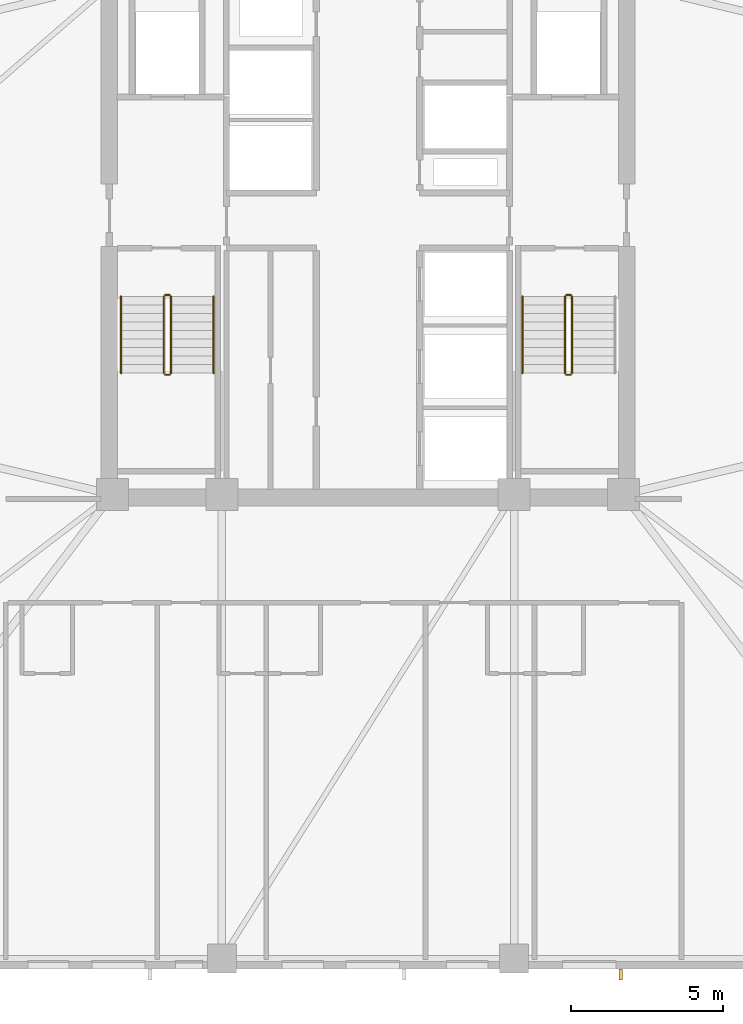
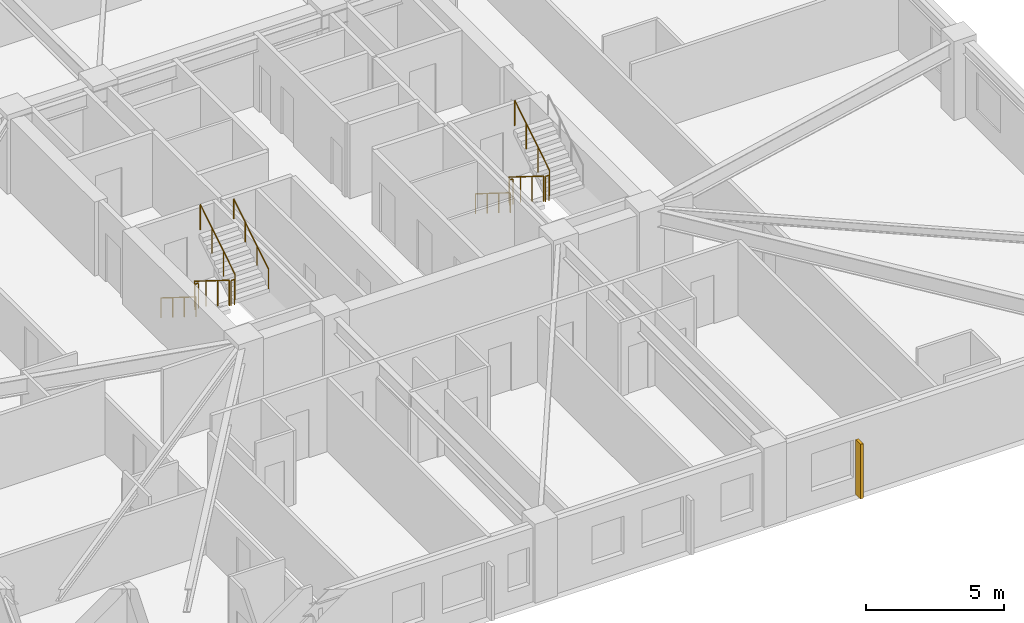
# One storey, part 8 of 11: 11 railings, 1 shading device.
"""IFC4 building model written with IfcOpenShell, lengths in metres."""

from ifc_helpers import new_model, si_unit, direction, frame, origin, origin_2d, place, context, subcontext, project, spatial, rectangle, circle, extrude, material, type_object, element, save


model = new_model("IFC4")

# Units and contexts
model_context = context("Model", 3, precision=1e-05, world=origin(), true_north=direction((0.0, 1.0)))
body_context = subcontext(model_context, "Body", "Model", "MODEL_VIEW")
ifc_project = project(units=[si_unit("LENGTHUNIT", "METRE"), si_unit("AREAUNIT", "SQUARE_METRE"), si_unit("VOLUMEUNIT", "CUBIC_METRE"), si_unit("PLANEANGLEUNIT", "RADIAN"), si_unit("MASSUNIT", "GRAM", prefix="KILO")], contexts=[model_context])

# Site, building, storey
site_placement = place(None, origin())
site = spatial("IfcSite", under=ifc_project, at=site_placement, CompositionType="ELEMENT")
building_placement = place(site_placement, origin())
building = spatial("IfcBuilding", under=site, at=building_placement, Name="Cairnveth Concourse Tower", CompositionType="ELEMENT")
storey_placement = place(building_placement, frame((0.0, 0.0, 123.5)))
storey = spatial("IfcBuildingStorey", under=building, at=storey_placement, Name="L33", CompositionType="ELEMENT", Elevation=123.5)

# Shading device
ifc_material_1 = material(Name="Architectural Bronze Anodised Aluminium 6063-T6", Category="aluminium")
shading_device_type = type_object("IfcShadingDeviceType", Name="GOTHIC BRONZE VERTICAL LANCET FIN", PredefinedType="USERDEFINED", material=ifc_material_1)
shading_device_placement = place(storey_placement, frame((60.301025390625, 14.824951171875, 0.030029296875), z_axis=(0.0, 0.0, 1.0), x_axis=(1.0, 0.0, 0.0)))
element("IfcShadingDevice", 1, at=shading_device_placement, inside=storey, type_object=shading_device_type, Name="Gothic Bronze Vertical Fin L33-9-3", ObjectType="VERTICAL FIN", PredefinedType="USERDEFINED", context=body_context, shape_type="SweptSolid", body=[
    extrude(rectangle(XDim=0.1201171875, YDim=0.360107421875, at=origin_2d()), origin(), (0.0, 0.0, 1.0), 2.419921875),
])

# Railings
ifc_material_2 = material(Name="Steel Grade 350", Category="steel")
railing_type_1 = type_object("IfcRailingType", Name="STAIR GUARDRAIL 1150", PredefinedType="GUARDRAIL", material=ifc_material_2)
railing_1_placement = place(storey_placement, frame((45.2900390625, 37.10009765625, 0.175048828125)))
element("IfcRailing", 2, at=railing_1_placement, inside=storey, type_object=railing_type_1, Name="L33 ST-1 stair guard 1", PredefinedType="GUARDRAIL", context=body_context, shape_type="SweptSolid", body=[
    extrude(circle(Radius=0.02392578125, at=origin_2d()), frame((0.0, 0.0, 1.1259765625), z_axis=(0.0, -0.848007534815, 0.529984170421), x_axis=(1.0, 0.0, 0.0)), (0.0, 0.0, 1.0), 2.9716796875),
    extrude(circle(Radius=0.02099609375, at=origin_2d()), origin(), (0.0, 0.0, 1.0), 1.101806640625),
    extrude(circle(Radius=0.02099609375, at=origin_2d()), frame((0.0, -0.840087890625, 0.52490234375)), (0.0, 0.0, 1.0), 1.101806640625),
    extrude(circle(Radius=0.02099609375, at=origin_2d()), frame((0.0, -1.679931640625, 1.050048828125)), (0.0, 0.0, 1.0), 1.101806640625),
    extrude(circle(Radius=0.02099609375, at=origin_2d()), frame((0.0, -2.52001953125, 1.574951171875)), (0.0, 0.0, 1.0), 1.101806640625),
])
railing_2_placement = place(storey_placement, frame((45.340087890625, 34.530029296875, 1.75)))
element("IfcRailing", 3, at=railing_2_placement, inside=storey, type_object=railing_type_1, Name="L33 ST-1 stair guard 2", PredefinedType="GUARDRAIL", context=body_context, shape_type="SweptSolid", body=[
    extrude(circle(Radius=0.02392578125, at=origin_2d()), frame((0.0, 0.0, 1.1259765625), z_axis=(1.0, 0.0, 0.0), x_axis=(0.0, 1.0, 0.0)), (0.0, 0.0, 1.0), 0.139892578125),
    extrude(circle(Radius=0.02099609375, at=origin_2d()), origin(), (0.0, 0.0, 1.0), 1.101806640625),
    extrude(circle(Radius=0.02099609375, at=origin_2d()), frame((0.139892578125, 0.0, 0.0)), (0.0, 0.0, 1.0), 1.101806640625),
])
railing_3_placement = place(storey_placement, frame((45.530029296875, 34.580078125, 1.925048828125)))
element("IfcRailing", 4, at=railing_3_placement, inside=storey, type_object=railing_type_1, Name="L33 ST-1 stair guard 3", PredefinedType="GUARDRAIL", context=body_context, shape_type="SweptSolid", body=[
    extrude(circle(Radius=0.02392578125, at=origin_2d()), frame((0.0, 0.0, 1.1259765625), z_axis=(0.0, 0.848007534815, 0.529984170421), x_axis=(-1.0, 0.0, 0.0)), (0.0, 0.0, 1.0), 2.9716796875),
    extrude(circle(Radius=0.02099609375, at=origin_2d()), origin(), (0.0, 0.0, 1.0), 1.101806640625),
    extrude(circle(Radius=0.02099609375, at=origin_2d()), frame((0.0, 0.840087890625, 0.52490234375)), (0.0, 0.0, 1.0), 1.101806640625),
    extrude(circle(Radius=0.02099609375, at=origin_2d()), frame((0.0, 1.679931640625, 1.050048828125)), (0.0, 0.0, 1.0), 1.101806640625),
    extrude(circle(Radius=0.02099609375, at=origin_2d()), frame((0.0, 2.52001953125, 1.574951171875)), (0.0, 0.0, 1.0), 1.101806640625),
])
railing_4_placement = place(storey_placement, frame((45.340087890625, 37.14990234375, 0.0)))
element("IfcRailing", 5, at=railing_4_placement, inside=storey, type_object=railing_type_1, Name="L33 ST-1 stair guard 4", PredefinedType="GUARDRAIL", context=body_context, shape_type="SweptSolid", body=[
    extrude(circle(Radius=0.02392578125, at=origin_2d()), frame((0.0, 0.0, 1.1259765625), z_axis=(1.0, 0.0, 0.0), x_axis=(0.0, 1.0, 0.0)), (0.0, 0.0, 1.0), 0.139892578125),
    extrude(circle(Radius=0.02099609375, at=origin_2d()), origin(), (0.0, 0.0, 1.0), 1.101806640625),
    extrude(circle(Radius=0.02099609375, at=origin_2d()), frame((0.139892578125, 0.0, 0.0)), (0.0, 0.0, 1.0), 1.101806640625),
])
railing_5_placement = place(storey_placement, frame((58.469970703125, 37.10009765625, 0.175048828125)))
element("IfcRailing", 6, at=railing_5_placement, inside=storey, type_object=railing_type_1, Name="L33 ST-2 stair guard 1", PredefinedType="GUARDRAIL", context=body_context, shape_type="SweptSolid", body=[
    extrude(circle(Radius=0.02392578125, at=origin_2d()), frame((0.0, 0.0, 1.1259765625), z_axis=(0.0, -0.848007534815, 0.529984170421), x_axis=(1.0, 0.0, 0.0)), (0.0, 0.0, 1.0), 2.9716796875),
    extrude(circle(Radius=0.02099609375, at=origin_2d()), origin(), (0.0, 0.0, 1.0), 1.101806640625),
    extrude(circle(Radius=0.02099609375, at=origin_2d()), frame((0.0, -0.840087890625, 0.52490234375)), (0.0, 0.0, 1.0), 1.101806640625),
    extrude(circle(Radius=0.02099609375, at=origin_2d()), frame((0.0, -1.679931640625, 1.050048828125)), (0.0, 0.0, 1.0), 1.101806640625),
    extrude(circle(Radius=0.02099609375, at=origin_2d()), frame((0.0, -2.52001953125, 1.574951171875)), (0.0, 0.0, 1.0), 1.101806640625),
])
railing_6_placement = place(storey_placement, frame((58.52001953125, 34.530029296875, 1.75)))
element("IfcRailing", 7, at=railing_6_placement, inside=storey, type_object=railing_type_1, Name="L33 ST-2 stair guard 2", PredefinedType="GUARDRAIL", context=body_context, shape_type="SweptSolid", body=[
    extrude(circle(Radius=0.02392578125, at=origin_2d()), frame((0.0, 0.0, 1.1259765625), z_axis=(1.0, 0.0, 0.0), x_axis=(0.0, 1.0, 0.0)), (0.0, 0.0, 1.0), 0.139892578125),
    extrude(circle(Radius=0.02099609375, at=origin_2d()), origin(), (0.0, 0.0, 1.0), 1.101806640625),
    extrude(circle(Radius=0.02099609375, at=origin_2d()), frame((0.139892578125, 0.0, 0.0)), (0.0, 0.0, 1.0), 1.101806640625),
])
railing_7_placement = place(storey_placement, frame((58.7099609375, 34.580078125, 1.925048828125)))
element("IfcRailing", 8, at=railing_7_placement, inside=storey, type_object=railing_type_1, Name="L33 ST-2 stair guard 3", PredefinedType="GUARDRAIL", context=body_context, shape_type="SweptSolid", body=[
    extrude(circle(Radius=0.02392578125, at=origin_2d()), frame((0.0, 0.0, 1.1259765625), z_axis=(0.0, 0.848007534815, 0.529984170421), x_axis=(-1.0, 0.0, 0.0)), (0.0, 0.0, 1.0), 2.9716796875),
    extrude(circle(Radius=0.02099609375, at=origin_2d()), origin(), (0.0, 0.0, 1.0), 1.101806640625),
    extrude(circle(Radius=0.02099609375, at=origin_2d()), frame((0.0, 0.840087890625, 0.52490234375)), (0.0, 0.0, 1.0), 1.101806640625),
    extrude(circle(Radius=0.02099609375, at=origin_2d()), frame((0.0, 1.679931640625, 1.050048828125)), (0.0, 0.0, 1.0), 1.101806640625),
    extrude(circle(Radius=0.02099609375, at=origin_2d()), frame((0.0, 2.52001953125, 1.574951171875)), (0.0, 0.0, 1.0), 1.101806640625),
])
railing_8_placement = place(storey_placement, frame((58.52001953125, 37.14990234375, 0.0)))
element("IfcRailing", 9, at=railing_8_placement, inside=storey, type_object=railing_type_1, Name="L33 ST-2 stair guard 4", PredefinedType="GUARDRAIL", context=body_context, shape_type="SweptSolid", body=[
    extrude(circle(Radius=0.02392578125, at=origin_2d()), frame((0.0, 0.0, 1.1259765625), z_axis=(1.0, 0.0, 0.0), x_axis=(0.0, 1.0, 0.0)), (0.0, 0.0, 1.0), 0.139892578125),
    extrude(circle(Radius=0.02099609375, at=origin_2d()), origin(), (0.0, 0.0, 1.0), 1.101806640625),
    extrude(circle(Radius=0.02099609375, at=origin_2d()), frame((0.139892578125, 0.0, 0.0)), (0.0, 0.0, 1.0), 1.101806640625),
])
railing_type_2 = type_object("IfcRailingType", Name="STAIR WALL HANDRAIL 900", PredefinedType="HANDRAIL", material=ifc_material_2)
railing_9_placement = place(storey_placement, frame((43.889892578125, 37.10009765625, 0.175048828125)))
element("IfcRailing", 10, at=railing_9_placement, inside=storey, type_object=railing_type_2, Name="L33 ST-1 stair handrail 1", PredefinedType="HANDRAIL", context=body_context, shape_type="SweptSolid", body=[
    extrude(circle(Radius=0.02392578125, at=origin_2d()), frame((0.0, 0.0, 0.8759765625), z_axis=(0.0, -0.848007534815, 0.529984170421), x_axis=(1.0, 0.0, 0.0)), (0.0, 0.0, 1.0), 2.9716796875),
    extrude(circle(Radius=0.02099609375, at=origin_2d()), origin(), (0.0, 0.0, 1.0), 0.851806640625),
    extrude(circle(Radius=0.02099609375, at=origin_2d()), frame((0.0, -0.840087890625, 0.52490234375)), (0.0, 0.0, 1.0), 0.851806640625),
    extrude(circle(Radius=0.02099609375, at=origin_2d()), frame((0.0, -1.679931640625, 1.050048828125)), (0.0, 0.0, 1.0), 0.851806640625),
    extrude(circle(Radius=0.02099609375, at=origin_2d()), frame((0.0, -2.52001953125, 1.574951171875)), (0.0, 0.0, 1.0), 0.851806640625),
])
railing_10_placement = place(storey_placement, frame((46.929931640625, 34.580078125, 1.925048828125)))
element("IfcRailing", 11, at=railing_10_placement, inside=storey, type_object=railing_type_2, Name="L33 ST-1 stair handrail 2", PredefinedType="HANDRAIL", context=body_context, shape_type="SweptSolid", body=[
    extrude(circle(Radius=0.02392578125, at=origin_2d()), frame((0.0, 0.0, 0.8759765625), z_axis=(0.0, 0.848007534815, 0.529984170421), x_axis=(-1.0, 0.0, 0.0)), (0.0, 0.0, 1.0), 2.9716796875),
    extrude(circle(Radius=0.02099609375, at=origin_2d()), origin(), (0.0, 0.0, 1.0), 0.851806640625),
    extrude(circle(Radius=0.02099609375, at=origin_2d()), frame((0.0, 0.840087890625, 0.52490234375)), (0.0, 0.0, 1.0), 0.851806640625),
    extrude(circle(Radius=0.02099609375, at=origin_2d()), frame((0.0, 1.679931640625, 1.050048828125)), (0.0, 0.0, 1.0), 0.851806640625),
    extrude(circle(Radius=0.02099609375, at=origin_2d()), frame((0.0, 2.52001953125, 1.574951171875)), (0.0, 0.0, 1.0), 0.851806640625),
])
railing_11_placement = place(storey_placement, frame((57.070068359375, 37.10009765625, 0.175048828125)))
element("IfcRailing", 12, at=railing_11_placement, inside=storey, type_object=railing_type_2, Name="L33 ST-2 stair handrail 1", PredefinedType="HANDRAIL", context=body_context, shape_type="SweptSolid", body=[
    extrude(circle(Radius=0.02392578125, at=origin_2d()), frame((0.0, 0.0, 0.8759765625), z_axis=(0.0, -0.848007534815, 0.529984170421), x_axis=(1.0, 0.0, 0.0)), (0.0, 0.0, 1.0), 2.9716796875),
    extrude(circle(Radius=0.02099609375, at=origin_2d()), origin(), (0.0, 0.0, 1.0), 0.851806640625),
    extrude(circle(Radius=0.02099609375, at=origin_2d()), frame((0.0, -0.840087890625, 0.52490234375)), (0.0, 0.0, 1.0), 0.851806640625),
    extrude(circle(Radius=0.02099609375, at=origin_2d()), frame((0.0, -1.679931640625, 1.050048828125)), (0.0, 0.0, 1.0), 0.851806640625),
    extrude(circle(Radius=0.02099609375, at=origin_2d()), frame((0.0, -2.52001953125, 1.574951171875)), (0.0, 0.0, 1.0), 0.851806640625),
])

save(model, "model.ifc")
